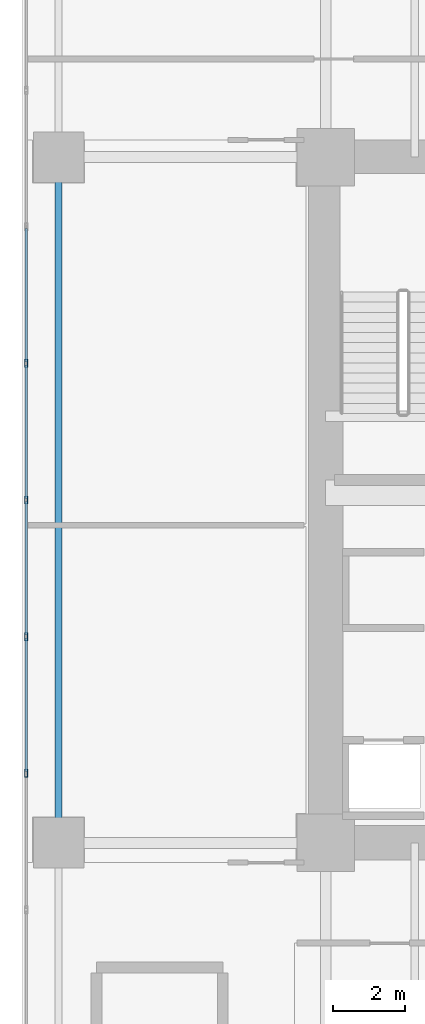
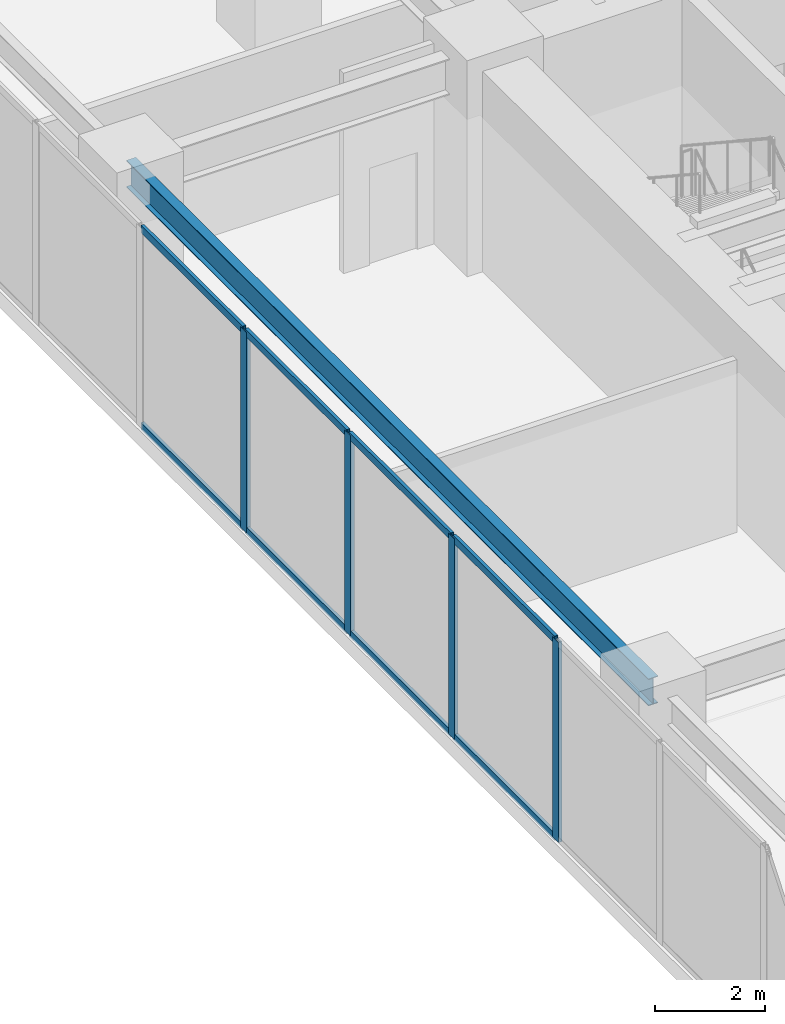
# One storey, part 5 of 33: 12 members, 1 beam, 1 element without a shape of its own.
"""IFC4 building model written with IfcOpenShell, lengths in metres."""

from ifc_helpers import new_model, si_unit, direction, frame, origin, origin_2d, place, context, subcontext, project, spatial, hollow_rectangle, i_section, extrude, source, transform, mapped, material, layer, layer_set, material_profile, profile_set, type_object, type_shapes, element, aggregate, save


model = new_model("IFC4")

# Units and contexts
model_context = context("Model", 3, precision=1e-05, world=origin(), true_north=direction((0.0, 1.0)))
body_context = subcontext(model_context, "Body", "Model", "MODEL_VIEW")
ifc_project = project(units=[si_unit("LENGTHUNIT", "METRE"), si_unit("AREAUNIT", "SQUARE_METRE"), si_unit("VOLUMEUNIT", "CUBIC_METRE"), si_unit("PLANEANGLEUNIT", "RADIAN"), si_unit("MASSUNIT", "GRAM", prefix="KILO")], contexts=[model_context])

# Site, building, storey
site_placement = place(None, origin())
site = spatial("IfcSite", under=ifc_project, at=site_placement, CompositionType="ELEMENT")
building_placement = place(site_placement, origin())
building = spatial("IfcBuilding", under=site, at=building_placement, Name="Haelvirn Gate Laboratories", CompositionType="ELEMENT")
storey_placement = place(building_placement, frame((0.0, 0.0, 10.199951171875)))
storey = spatial("IfcBuildingStorey", under=building, at=storey_placement, Name="L03", CompositionType="ELEMENT", Elevation=10.199951171875)

# Beam
ifc_material_1 = material(Name="Steel SM355", Category="steel")
ifc_material_profile_1 = material_profile(ifc_material_1, i_section(OverallWidth=0.199951171875, OverallDepth=0.60009765625, WebThickness=0.010986328125, FlangeThickness=0.01708984375, at=origin_2d()), Name="H-600x200x11x17")
ifc_profile_set_1 = profile_set([ifc_material_profile_1], Name="Steel SM355")
beam_type = type_object("IfcBeamType", Name="BM-SP-600", PredefinedType="SPANDREL", material=ifc_profile_set_1)
shared_shape_1 = source(origin(), body_context, "Body", "SweptSolid", [
    extrude(i_section(OverallWidth=0.199951171875, OverallDepth=0.60009765625, WebThickness=0.010986328125, FlangeThickness=0.01708984375, at=origin_2d()), origin(), (0.0, 0.0, 1.0), 19.0),
])
type_shapes(beam_type, [shared_shape_1])
beam_placement = place(storey_placement, frame((0.0, 14.800048828125, 4.150146484375), z_axis=(0.0, 1.0, 0.0), x_axis=(-1.0, 0.0, 0.0)))
element("IfcBeam", 1, at=beam_placement, inside=storey, type_object=beam_type, Name="L03 Perimeter Spandrel X0.0 (14.8-33.8)", PredefinedType="SPANDREL", context=body_context, shape_type="MappedRepresentation", body=[
    mapped(shared_shape_1, transform((0.0, 0.0, 0.0), scale=1.0)),
])

# Curtain wall, members
ifc_material_2 = material(Name="Anodised bronze unitised aluminium & triple low-E glass", Category="aluminium")
ifc_layer = layer(ifc_material_2, 0.18798828125, Name="CW-SYS-1")
ifc_layer_set = layer_set([ifc_layer], Name="Anodised bronze unitised aluminium & triple low-E glass")
curtain_wall_type = type_object("IfcCurtainWallType", Name="CW-SYS-1", PredefinedType="NOTDEFINED", material=ifc_layer_set)
curtain_wall_placement = place(storey_placement, origin())
curtain_wall = element("IfcCurtainWall", 2, at=curtain_wall_placement, inside=storey, type_object=curtain_wall_type, Name="L03 Unitised Curtain Wall CW-L03-P0-E05", PredefinedType="NOTDEFINED")
ifc_material_3 = material(Name="Extruded aluminium 6063-T6 (anodised bronze)", Category="aluminium")
ifc_material_profile_2 = material_profile(ifc_material_3, hollow_rectangle(XDim=0.070068359375, YDim=0.159912109375, WallThickness=0.0048828125, at=origin_2d()), Name="CWT-160x70x5")
ifc_profile_set_2 = profile_set([ifc_material_profile_2], Name="Extruded aluminium 6063-T6 (anodised bronze)")
member_type_1 = type_object("IfcMemberType", Name="CWT-T160", PredefinedType="USERDEFINED", material=ifc_profile_set_2)
shared_shape_2 = source(origin(), body_context, "Body", "SweptSolid", [
    extrude(hollow_rectangle(XDim=0.070068359375, YDim=0.159912109375, WallThickness=0.0048828125, at=origin_2d()), origin(), (0.0, 0.0, 1.0), 3.703369140625),
])
member_1_placement = place(storey_placement, frame((-0.89990234375, 31.82666015625, 0.03515625), z_axis=(0.0, -1.0, 0.0), x_axis=(1.0, 0.0, 0.0)))
member_1 = element("IfcMember", 3, at=member_1_placement, type_object=member_type_1, Name="CW1 transom 5.1", ObjectType="TRANSOM", PredefinedType="USERDEFINED", context=body_context, shape_type="MappedRepresentation", body=[
    mapped(shared_shape_2, transform((0.0, 0.0, 0.0), scale=1.0)),
])
member_2_placement = place(storey_placement, frame((-0.89990234375, 31.82666015625, 4.4150390625), z_axis=(0.0, -1.0, 0.0), x_axis=(1.0, 0.0, 0.0)))
member_2 = element("IfcMember", 4, at=member_2_placement, type_object=member_type_1, Name="CW1 transom 5.2", ObjectType="TRANSOM", PredefinedType="USERDEFINED", context=body_context, shape_type="MappedRepresentation", body=[
    mapped(shared_shape_2, transform((0.0, 0.0, 0.0), scale=1.0)),
])
member_3_placement = place(storey_placement, frame((-0.89990234375, 24.260009765625, 0.03515625), z_axis=(0.0, -1.0, 0.0), x_axis=(1.0, 0.0, 0.0)))
member_3 = element("IfcMember", 5, at=member_3_placement, type_object=member_type_1, Name="CW1 transom 7.1", ObjectType="TRANSOM", PredefinedType="USERDEFINED", context=body_context, shape_type="MappedRepresentation", body=[
    mapped(shared_shape_2, transform((0.0, 0.0, 0.0), scale=1.0)),
])
member_4_placement = place(storey_placement, frame((-0.89990234375, 24.260009765625, 4.4150390625), z_axis=(0.0, -1.0, 0.0), x_axis=(1.0, 0.0, 0.0)))
member_4 = element("IfcMember", 6, at=member_4_placement, type_object=member_type_1, Name="CW1 transom 7.2", ObjectType="TRANSOM", PredefinedType="USERDEFINED", context=body_context, shape_type="MappedRepresentation", body=[
    mapped(shared_shape_2, transform((0.0, 0.0, 0.0), scale=1.0)),
])
shared_shape_3 = source(origin(), body_context, "Body", "SweptSolid", [
    extrude(hollow_rectangle(XDim=0.070068359375, YDim=0.159912109375, WallThickness=0.0048828125, at=origin_2d()), origin(), (0.0, 0.0, 1.0), 3.703125),
])
type_shapes(member_type_1, [shared_shape_2, shared_shape_3])
member_5_placement = place(storey_placement, frame((-0.89990234375, 28.043212890625, 0.03515625), z_axis=(0.0, -1.0, 0.0), x_axis=(1.0, 0.0, 0.0)))
member_5 = element("IfcMember", 7, at=member_5_placement, type_object=member_type_1, Name="CW1 transom 6.1", ObjectType="TRANSOM", PredefinedType="USERDEFINED", context=body_context, shape_type="MappedRepresentation", body=[
    mapped(shared_shape_3, transform((0.0, 0.0, 0.0), scale=1.0)),
])
member_6_placement = place(storey_placement, frame((-0.89990234375, 28.043212890625, 4.4150390625), z_axis=(0.0, -1.0, 0.0), x_axis=(1.0, 0.0, 0.0)))
member_6 = element("IfcMember", 8, at=member_6_placement, type_object=member_type_1, Name="CW1 transom 6.2", ObjectType="TRANSOM", PredefinedType="USERDEFINED", context=body_context, shape_type="MappedRepresentation", body=[
    mapped(shared_shape_3, transform((0.0, 0.0, 0.0), scale=1.0)),
])
member_7_placement = place(storey_placement, frame((-0.89990234375, 20.4765625, 0.03515625), z_axis=(0.0, -1.0, 0.0), x_axis=(1.0, 0.0, 0.0)))
member_7 = element("IfcMember", 9, at=member_7_placement, type_object=member_type_1, Name="CW1 transom 8.1", ObjectType="TRANSOM", PredefinedType="USERDEFINED", context=body_context, shape_type="MappedRepresentation", body=[
    mapped(shared_shape_3, transform((0.0, 0.0, 0.0), scale=1.0)),
])
member_8_placement = place(storey_placement, frame((-0.89990234375, 20.4765625, 4.4150390625), z_axis=(0.0, -1.0, 0.0), x_axis=(1.0, 0.0, 0.0)))
member_8 = element("IfcMember", 10, at=member_8_placement, type_object=member_type_1, Name="CW1 transom 8.2", ObjectType="TRANSOM", PredefinedType="USERDEFINED", context=body_context, shape_type="MappedRepresentation", body=[
    mapped(shared_shape_3, transform((0.0, 0.0, 0.0), scale=1.0)),
])
ifc_material_profile_3 = material_profile(ifc_material_3, hollow_rectangle(XDim=0.080078125, YDim=0.219970703125, WallThickness=0.006103515625, at=origin_2d()), Name="CWM-220x80x6")
ifc_profile_set_3 = profile_set([ifc_material_profile_3], Name="Extruded aluminium 6063-T6 (anodised bronze)")
member_type_2 = type_object("IfcMemberType", Name="CWM-T220", PredefinedType="MULLION", material=ifc_profile_set_3)
shared_shape_4 = source(origin(), body_context, "Body", "SweptSolid", [
    extrude(hollow_rectangle(XDim=0.080078125, YDim=0.219970703125, WallThickness=0.006103515625, at=origin_2d()), origin(), (0.0, 0.0, 1.0), 4.449951171875),
])
type_shapes(member_type_2, [shared_shape_4])
member_9_placement = place(storey_placement, frame((-0.89990234375, 28.083251953125, 0.0), z_axis=(0.0, 0.0, 1.0), x_axis=(1.0, 0.0, 0.0)))
member_9 = element("IfcMember", 11, at=member_9_placement, type_object=member_type_2, Name="CW1 mullion 6", PredefinedType="MULLION", context=body_context, shape_type="MappedRepresentation", body=[
    mapped(shared_shape_4, transform((0.0, 0.0, 0.0), scale=1.0)),
])
member_10_placement = place(storey_placement, frame((-0.89990234375, 24.300048828125, 0.0), z_axis=(0.0, 0.0, 1.0), x_axis=(1.0, 0.0, 0.0)))
member_10 = element("IfcMember", 12, at=member_10_placement, type_object=member_type_2, Name="CW1 mullion 7", PredefinedType="MULLION", context=body_context, shape_type="MappedRepresentation", body=[
    mapped(shared_shape_4, transform((0.0, 0.0, 0.0), scale=1.0)),
])
member_11_placement = place(storey_placement, frame((-0.89990234375, 20.5166015625, 0.0), z_axis=(0.0, 0.0, 1.0), x_axis=(1.0, 0.0, 0.0)))
member_11 = element("IfcMember", 13, at=member_11_placement, type_object=member_type_2, Name="CW1 mullion 8", PredefinedType="MULLION", context=body_context, shape_type="MappedRepresentation", body=[
    mapped(shared_shape_4, transform((0.0, 0.0, 0.0), scale=1.0)),
])
member_12_placement = place(storey_placement, frame((-0.89990234375, 16.7333984375, 0.0), z_axis=(0.0, 0.0, 1.0), x_axis=(1.0, 0.0, 0.0)))
member_12 = element("IfcMember", 14, at=member_12_placement, type_object=member_type_2, Name="CW1 mullion 9", PredefinedType="MULLION", context=body_context, shape_type="MappedRepresentation", body=[
    mapped(shared_shape_4, transform((0.0, 0.0, 0.0), scale=1.0)),
])
aggregate(curtain_wall, [member_9, member_10, member_11, member_12, member_1, member_2, member_5, member_6, member_3, member_4, member_7, member_8])

save(model, "model.ifc")
